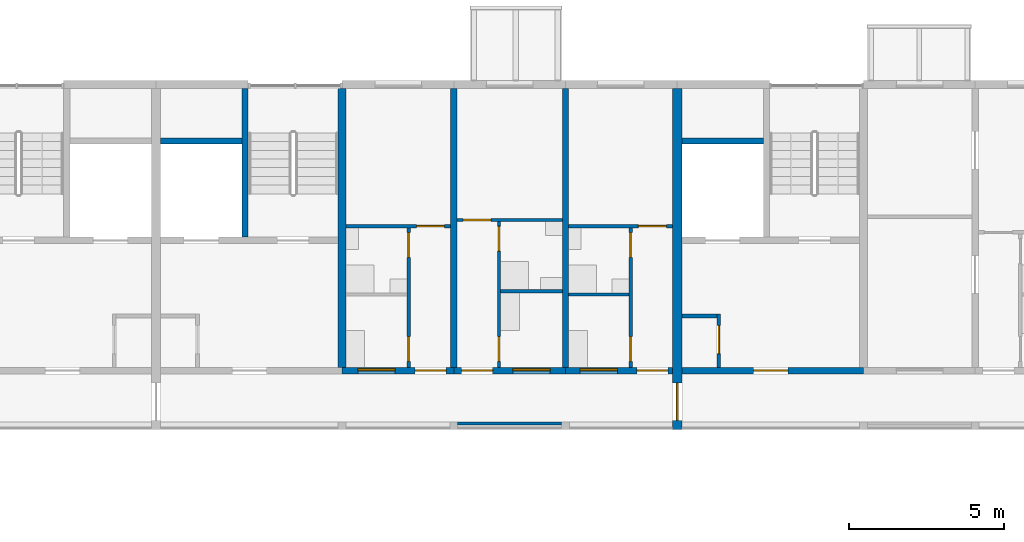
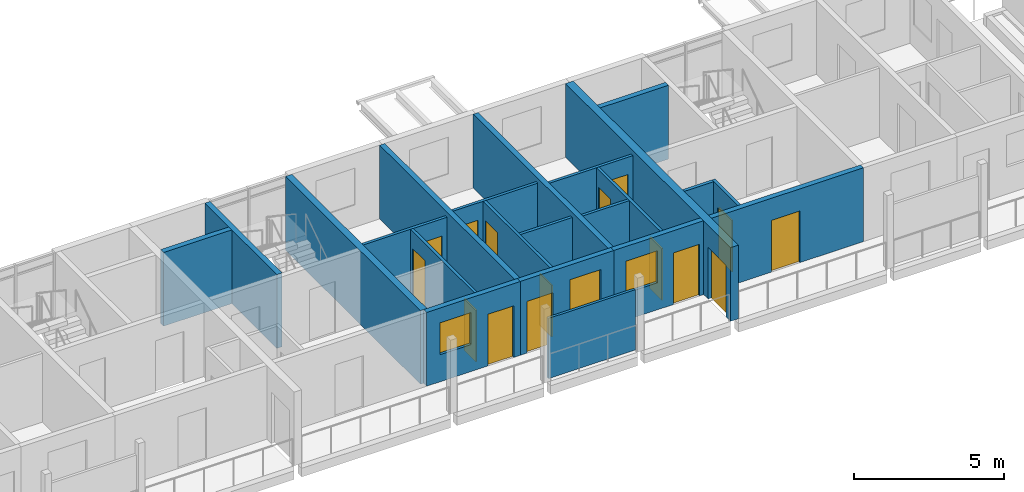
# One storey, part 50 of 94: 22 walls, 15 doors, 3 windows, 18 openings.
"""IFC4 building model written with IfcOpenShell, lengths in metres."""

from ifc_helpers import new_model, si_unit, direction, frame, frame_2d, origin, place, context, subcontext, project, spatial, rectangle, extrude, material, layer, layer_set, type_object, element, fill, save


model = new_model("IFC4")

# Units and contexts
model_context = context("Model", 3, precision=1e-05, world=origin(), true_north=direction((0.0, 1.0)))
body_context = subcontext(model_context, "Body", "Model", "MODEL_VIEW")
ifc_project = project(units=[si_unit("LENGTHUNIT", "METRE"), si_unit("AREAUNIT", "SQUARE_METRE"), si_unit("VOLUMEUNIT", "CUBIC_METRE"), si_unit("PLANEANGLEUNIT", "RADIAN"), si_unit("MASSUNIT", "GRAM", prefix="KILO")], contexts=[model_context])

# Site, building, storey
site_placement = place(None, origin())
site = spatial("IfcSite", under=ifc_project, at=site_placement, CompositionType="ELEMENT")
building_placement = place(site_placement, origin())
building = spatial("IfcBuilding", under=site, at=building_placement, Name="Ridgestep Commons", CompositionType="ELEMENT")
storey_placement = place(building_placement, frame((0.0, 0.0, 21.0)))
storey = spatial("IfcBuildingStorey", under=building, at=storey_placement, Name="L07", CompositionType="ELEMENT", Elevation=21.0)

# Wall
ifc_material_1 = material(Name="Concrete C30/37", Category="concrete")
ifc_layer_1 = layer(ifc_material_1, 0.25)
ifc_layer_set_1 = layer_set([ifc_layer_1], Name="Core cross wall 250")
wall_type_1 = type_object("IfcWallType", Name="Core cross wall 250", PredefinedType="SHEAR", material=ifc_layer_set_1)
wall_1_placement = place(storey_placement, frame((186.39990234375, 68.0, 0.0), z_axis=(0.0, 0.0, 1.0), x_axis=(0.0, 1.0, 0.0)))
element("IfcWall", 1, at=wall_1_placement, inside=storey, type_object=wall_type_1, Name="Cross wall C-07-1864", PredefinedType="SHEAR", context=body_context, shape_type="SweptSolid", body=[
    extrude(rectangle(XDim=9.0, YDim=0.25, at=frame_2d((4.5, 0.0))), origin(), (0.0, 0.0, 1.0), 3.0),
])

# Wall, opening, door
ifc_material_2 = material(Name="Concrete C30/37", Category="concrete")
ifc_layer_2 = layer(ifc_material_2, 0.199951171875)
ifc_layer_set_2 = layer_set([ifc_layer_2], Name="Core south wall 200")
wall_type_2 = type_object("IfcWallType", Name="Core south wall 200", PredefinedType="SHEAR", material=ifc_layer_set_2)
wall_2_placement = place(storey_placement, frame((197.35009765625, 67.89990234375, 0.0), z_axis=(0.0, 0.0, 1.0), x_axis=(1.0, 0.0, 0.0)))
wall_2 = element("IfcWall", 2, at=wall_2_placement, inside=storey, type_object=wall_type_2, Name="Core south wall C4C L07", PredefinedType="SHEAR", context=body_context, shape_type="SweptSolid", body=[
    extrude(rectangle(XDim=5.849853515625, YDim=0.199951171875, at=frame_2d((2.9248046875, 0.0))), origin(), (0.0, 0.0, 1.0), 3.0),
])
opening_1_placement = place(wall_2_placement, frame((2.3125, 0.0, 0.0)))
opening_1 = element("IfcOpeningElement", 3, at=opening_1_placement, cuts=wall_2, Name="Opening C4C/07/1", PredefinedType="OPENING", context=body_context, shape_type="SweptSolid", body=[
    extrude(rectangle(XDim=1.10009765625, YDim=2.10009765625, at=frame_2d((0.550048828125, 1.050048828125))), frame((0.0, 0.10986328125, 0.0), z_axis=(0.0, -1.0, 0.0), x_axis=(1.0, 0.0, 0.0)), (0.0, 0.0, 1.0), 0.219970703125),
])
ifc_material_3 = material(Name="Steel fire door", Category="steel")
door_type_1 = type_object("IfcDoorType", Name="Lobby door 1100 x 2100 FD60", OperationType="NOTDEFINED", PredefinedType="DOOR", material=ifc_material_3)
door_1_placement = place(opening_1_placement, origin())
door_1 = element("IfcDoor", 4, at=door_1_placement, inside=storey, type_object=door_type_1, Name="Lobby door C4C/07/1", OperationType="SINGLE_SWING_LEFT", OverallHeight=2.10009765625, OverallWidth=1.10009765625, PredefinedType="DOOR", context=body_context, shape_type="SweptSolid", body=[
    extrude(rectangle(XDim=1.10009765625, YDim=2.10009765625, at=frame_2d((0.550048828125, 1.050048828125))), frame((0.0, 0.02490234375, 0.0), z_axis=(0.0, -1.0, 0.0), x_axis=(1.0, 0.0, 0.0)), (0.0, 0.0, 1.0), 0.050048828125),
])
fill(opening_1, door_1)

ifc_material_4 = material(Name="Concrete C30/37", Category="concrete")
ifc_layer_3 = layer(ifc_material_4, 0.1201171875)
ifc_layer_set_3 = layer_set([ifc_layer_3], Name="Core wall 120")
wall_type_3 = type_object("IfcWallType", Name="Core wall 120", PredefinedType="SHEAR", material=ifc_layer_set_3)
wall_3_placement = place(storey_placement, frame((198.5400390625, 68.0, 0.0), z_axis=(0.0, 0.0, 1.0), x_axis=(0.0, 1.0, 0.0)))
wall_3 = element("IfcWall", 5, at=wall_3_placement, inside=storey, type_object=wall_type_3, Name="Core riser w wall C4C L07", PredefinedType="SHEAR", context=body_context, shape_type="SweptSolid", body=[
    extrude(rectangle(XDim=1.719970703125, YDim=0.1201171875, at=frame_2d((0.85986328125, 0.0))), origin(), (0.0, 0.0, 1.0), 3.0),
])
opening_2_placement = place(wall_3_placement, frame((0.449951171875, 0.0, 0.0)))
opening_2 = element("IfcOpeningElement", 6, at=opening_2_placement, cuts=wall_3, Name="Opening C4C/07/4", PredefinedType="OPENING", context=body_context, shape_type="SweptSolid", body=[
    extrude(rectangle(XDim=0.89990234375, YDim=2.10009765625, at=frame_2d((0.449951171875, 1.050048828125))), frame((0.0, 0.070068359375, 0.0), z_axis=(0.0, -1.0, 0.0), x_axis=(1.0, 0.0, 0.0)), (0.0, 0.0, 1.0), 0.14013671875),
])
ifc_material_5 = material(Name="Steel fire door", Category="steel")
door_type_2 = type_object("IfcDoorType", Name="Riser door 900 x 2100 FD60", OperationType="NOTDEFINED", PredefinedType="DOOR", material=ifc_material_5)
door_2_placement = place(opening_2_placement, origin())
door_2 = element("IfcDoor", 7, at=door_2_placement, inside=storey, type_object=door_type_2, Name="Riser door C4C/07/4", OperationType="SINGLE_SWING_RIGHT", OverallHeight=2.10009765625, OverallWidth=0.89990234375, PredefinedType="DOOR", context=body_context, shape_type="SweptSolid", body=[
    extrude(rectangle(XDim=0.89990234375, YDim=2.10009765625, at=frame_2d((0.449951171875, 1.050048828125))), frame((0.0, 0.02490234375, 0.0), z_axis=(0.0, -1.0, 0.0), x_axis=(1.0, 0.0, 0.0)), (0.0, 0.0, 1.0), 0.050048828125),
])
fill(opening_2, door_2)

# Walls
wall_4_placement = place(storey_placement, frame((197.35009765625, 69.659912109375, 0.0), z_axis=(0.0, 0.0, 1.0), x_axis=(1.0, 0.0, 0.0)))
element("IfcWall", 8, at=wall_4_placement, inside=storey, type_object=wall_type_3, Name="Core riser n wall C4C L07", PredefinedType="SHEAR", context=body_context, shape_type="SweptSolid", body=[
    extrude(rectangle(XDim=1.1298828125, YDim=0.1201171875, at=frame_2d((0.56494140625, 0.0))), origin(), (0.0, 0.0, 1.0), 3.0),
])
ifc_material_6 = material(Name="Concrete C30/37", Category="concrete")
ifc_layer_4 = layer(ifc_material_6, 0.199951171875)
ifc_layer_set_4 = layer_set([ifc_layer_4], Name="Core wall 200")
wall_type_4 = type_object("IfcWallType", Name="Core wall 200", PredefinedType="SHEAR", material=ifc_layer_set_4)
wall_5_placement = place(storey_placement, frame((183.27490234375, 72.199951171875, 0.0), z_axis=(0.0, 0.0, 1.0), x_axis=(0.0, 1.0, 0.0)))
element("IfcWall", 9, at=wall_5_placement, inside=storey, type_object=wall_type_4, Name="Core stair wall C3C L07", PredefinedType="SHEAR", context=body_context, shape_type="SweptSolid", body=[
    extrude(rectangle(XDim=4.800048828125, YDim=0.199951171875, at=frame_2d((2.39990234375, 0.0))), origin(), (0.0, 0.0, 1.0), 3.0),
])
for number, where, z_axis, x_axis, name in (
    (10, (180.550048828125, 75.300048828125, 0.0), (0.0, 0.0, 1.0), (1.0, 0.0, 0.0), "Core duct wall C3C L07"),
    (11, (197.35009765625, 75.300048828125, 0.0), (0.0, 0.0, 1.0), (1.0, 0.0, 0.0), "Core duct wall C4C L07"),
):
    element("IfcWall", number, at=place(storey_placement, frame(where, z_axis=z_axis, x_axis=x_axis)), inside=storey, type_object=wall_type_4, Name=name, PredefinedType="SHEAR", context=body_context, shape_type="SweptSolid", body=[
        extrude(rectangle(XDim=2.625, YDim=0.199951171875, at=frame_2d((1.3125, 0.0))), origin(), (0.0, 0.0, 1.0), 3.0),
    ])
ifc_material_7 = material(Name="Precast concrete C40/50", Category="concrete")
ifc_layer_5 = layer(ifc_material_7, 0.199951171875)
ifc_layer_set_5 = layer_set([ifc_layer_5], Name="Cross wall 200")
wall_type_5 = type_object("IfcWallType", Name="Cross wall 200", PredefinedType="SHEAR", material=ifc_layer_set_5)
for number, where, z_axis, x_axis, name in (
    (12, (190.0, 68.0, 0.0), (0.0, 0.0, 1.0), (0.0, 1.0, 0.0), "Cross wall C-07-1900"),
    (13, (193.60009765625, 68.0, 0.0), (0.0, 0.0, 1.0), (0.0, 1.0, 0.0), "Cross wall C-07-1936"),
):
    element("IfcWall", number, at=place(storey_placement, frame(where, z_axis=z_axis, x_axis=x_axis)), inside=storey, type_object=wall_type_5, Name=name, PredefinedType="SHEAR", context=body_context, shape_type="SweptSolid", body=[
        extrude(rectangle(XDim=9.0, YDim=0.199951171875, at=frame_2d((4.5, 0.0))), origin(), (0.0, 0.0, 1.0), 3.0),
    ])

# Wall, opening, door
ifc_material_8 = material(Name="Precast concrete C40/50", Category="concrete")
ifc_layer_6 = layer(ifc_material_8, 0.300048828125)
ifc_layer_set_6 = layer_set([ifc_layer_6], Name="Division wall 300")
wall_type_6 = type_object("IfcWallType", Name="Division wall 300", PredefinedType="SHEAR", material=ifc_layer_set_6)
wall_6_placement = place(storey_placement, frame((197.199951171875, 66.0, 0.0), z_axis=(0.0, 0.0, 1.0), x_axis=(0.0, 1.0, 0.0)))
wall_6 = element("IfcWall", 14, at=wall_6_placement, inside=storey, type_object=wall_type_6, Name="Cross wall C-07-1972", PredefinedType="SHEAR", context=body_context, shape_type="SweptSolid", body=[
    extrude(rectangle(XDim=11.0, YDim=0.300048828125, at=frame_2d((5.5, 0.0))), origin(), (0.0, 0.0, 1.0), 3.0),
])
opening_3_placement = place(wall_6_placement, frame((0.300048828125, 0.0, 0.0)))
opening_3 = element("IfcOpeningElement", 15, at=opening_3_placement, cuts=wall_6, Name="Opening C/07/G1972", PredefinedType="OPENING", context=body_context, shape_type="SweptSolid", body=[
    extrude(rectangle(XDim=1.199951171875, YDim=2.10009765625, at=frame_2d((0.60009765625, 1.050048828125))), frame((0.0, 0.159912109375, 0.0), z_axis=(0.0, -1.0, 0.0), x_axis=(1.0, 0.0, 0.0)), (0.0, 0.0, 1.0), 0.320068359375),
])
ifc_material_9 = material(Name="Steel fire door", Category="steel")
door_type_3 = type_object("IfcDoorType", Name="Division fire door 1200 x 2100 EI 240", OperationType="DOUBLE_DOOR_SINGLE_SWING", PredefinedType="DOOR", material=ifc_material_9)
door_3_placement = place(opening_3_placement, origin())
door_3 = element("IfcDoor", 16, at=door_3_placement, inside=storey, type_object=door_type_3, Name="Division fire door C/07/G1972", OperationType="DOUBLE_DOOR_SINGLE_SWING", OverallHeight=2.10009765625, OverallWidth=1.199951171875, PredefinedType="DOOR", context=body_context, shape_type="SweptSolid", body=[
    extrude(rectangle(XDim=1.199951171875, YDim=2.10009765625, at=frame_2d((0.60009765625, 1.050048828125))), frame((0.0, 0.02490234375, 0.0), z_axis=(0.0, -1.0, 0.0), x_axis=(1.0, 0.0, 0.0)), (0.0, 0.0, 1.0), 0.050048828125),
])
fill(opening_3, door_3)

# Wall
ifc_material_10 = material(Name="Common brick 110 mm", Category="masonry")
ifc_layer_7 = layer(ifc_material_10, 0.110107421875)
ifc_layer_set_7 = layer_set([ifc_layer_7], Name="Partition 110")
wall_type_7 = type_object("IfcWallType", Name="Partition 110", PredefinedType="PARTITIONING", material=ifc_layer_set_7)
wall_7_placement = place(storey_placement, frame((193.699951171875, 70.35498046875, 0.0), z_axis=(0.0, 0.0, 1.0), x_axis=(1.0, 0.0, 0.0)))
element("IfcWall", 17, at=wall_7_placement, inside=storey, type_object=wall_type_7, Name="Partition C3-07a", PredefinedType="PARTITIONING", context=body_context, shape_type="SweptSolid", body=[
    extrude(rectangle(XDim=1.93994140625, YDim=0.110107421875, at=frame_2d((0.969970703125, 0.0))), origin(), (0.0, 0.0, 1.0), 2.800048828125),
])

# Wall, openings, doors
wall_8_placement = place(storey_placement, frame((195.695068359375, 68.0, 0.0), z_axis=(0.0, 0.0, 1.0), x_axis=(0.0, 1.0, 0.0)))
wall_8 = element("IfcWall", 18, at=wall_8_placement, inside=storey, type_object=wall_type_7, Name="Partition C3-07a", PredefinedType="PARTITIONING", context=body_context, shape_type="SweptSolid", body=[
    extrude(rectangle(XDim=4.5, YDim=0.110107421875, at=frame_2d((2.25, 0.0))), origin(), (0.0, 0.0, 1.0), 2.800048828125),
])
opening_4_placement = place(wall_8_placement, frame((0.199951171875, 0.0, 0.0)))
opening_4 = element("IfcOpeningElement", 19, at=opening_4_placement, cuts=wall_8, Name="Opening C3-07a/2", PredefinedType="OPENING", context=body_context, shape_type="SweptSolid", body=[
    extrude(rectangle(XDim=0.800048828125, YDim=2.10009765625, at=frame_2d((0.39990234375, 1.050048828125))), frame((0.0, 0.06494140625, 0.0), z_axis=(0.0, -1.0, 0.0), x_axis=(1.0, 0.0, 0.0)), (0.0, 0.0, 1.0), 0.130126953125),
])
opening_5_placement = place(wall_8_placement, frame((3.550048828125, 0.0, 0.0)))
opening_5 = element("IfcOpeningElement", 20, at=opening_5_placement, cuts=wall_8, Name="Opening C3-07a/3", PredefinedType="OPENING", context=body_context, shape_type="SweptSolid", body=[
    extrude(rectangle(XDim=0.800048828125, YDim=2.10009765625, at=frame_2d((0.39990234375, 1.050048828125))), frame((0.0, 0.06494140625, 0.0), z_axis=(0.0, -1.0, 0.0), x_axis=(1.0, 0.0, 0.0)), (0.0, 0.0, 1.0), 0.130126953125),
])
ifc_material_11 = material(Name="Timber door leaf", Category="wood")
door_type_4 = type_object("IfcDoorType", Name="Internal door 800 x 2100", OperationType="NOTDEFINED", PredefinedType="DOOR", material=ifc_material_11)
door_4_placement = place(opening_4_placement, origin())
door_4 = element("IfcDoor", 21, at=door_4_placement, inside=storey, type_object=door_type_4, Name="Internal door C3-07a/2", OperationType="SINGLE_SWING_LEFT", OverallHeight=2.10009765625, OverallWidth=0.800048828125, PredefinedType="DOOR", context=body_context, shape_type="SweptSolid", body=[
    extrude(rectangle(XDim=0.800048828125, YDim=2.10009765625, at=frame_2d((0.39990234375, 1.050048828125))), frame((0.0, 0.02490234375, 0.0), z_axis=(0.0, -1.0, 0.0), x_axis=(1.0, 0.0, 0.0)), (0.0, 0.0, 1.0), 0.050048828125),
])
fill(opening_4, door_4)
door_5_placement = place(opening_5_placement, origin())
door_5 = element("IfcDoor", 22, at=door_5_placement, inside=storey, type_object=door_type_4, Name="Internal door C3-07a/3", OperationType="SINGLE_SWING_RIGHT", OverallHeight=2.10009765625, OverallWidth=0.800048828125, PredefinedType="DOOR", context=body_context, shape_type="SweptSolid", body=[
    extrude(rectangle(XDim=0.800048828125, YDim=2.10009765625, at=frame_2d((0.39990234375, 1.050048828125))), frame((0.0, 0.02490234375, 0.0), z_axis=(0.0, -1.0, 0.0), x_axis=(1.0, 0.0, 0.0)), (0.0, 0.0, 1.0), 0.050048828125),
])
fill(opening_5, door_5)

# Wall, opening, door
wall_9_placement = place(storey_placement, frame((193.699951171875, 72.554931640625, 0.0), z_axis=(0.0, 0.0, 1.0), x_axis=(1.0, 0.0, 0.0)))
wall_9 = element("IfcWall", 23, at=wall_9_placement, inside=storey, type_object=wall_type_7, Name="Partition C3-07a", PredefinedType="PARTITIONING", context=body_context, shape_type="SweptSolid", body=[
    extrude(rectangle(XDim=3.35009765625, YDim=0.110107421875, at=frame_2d((1.675048828125, 0.0))), origin(), (0.0, 0.0, 1.0), 2.800048828125),
])
opening_6_placement = place(wall_9_placement, frame((2.25, 0.0, 0.0)))
opening_6 = element("IfcOpeningElement", 24, at=opening_6_placement, cuts=wall_9, Name="Opening C3-07a/4", PredefinedType="OPENING", context=body_context, shape_type="SweptSolid", body=[
    extrude(rectangle(XDim=0.89990234375, YDim=2.10009765625, at=frame_2d((0.449951171875, 1.050048828125))), frame((0.0, 0.06494140625, 0.0), z_axis=(0.0, -1.0, 0.0), x_axis=(1.0, 0.0, 0.0)), (0.0, 0.0, 1.0), 0.130126953125),
])
ifc_material_12 = material(Name="Timber door leaf", Category="wood")
door_type_5 = type_object("IfcDoorType", Name="Internal door 900 x 2100", OperationType="NOTDEFINED", PredefinedType="DOOR", material=ifc_material_12)
door_6_placement = place(opening_6_placement, origin())
door_6 = element("IfcDoor", 25, at=door_6_placement, inside=storey, type_object=door_type_5, Name="Internal door C3-07a/4", OperationType="SINGLE_SWING_LEFT", OverallHeight=2.10009765625, OverallWidth=0.89990234375, PredefinedType="DOOR", context=body_context, shape_type="SweptSolid", body=[
    extrude(rectangle(XDim=0.89990234375, YDim=2.10009765625, at=frame_2d((0.449951171875, 1.050048828125))), frame((0.0, 0.02490234375, 0.0), z_axis=(0.0, -1.0, 0.0), x_axis=(1.0, 0.0, 0.0)), (0.0, 0.0, 1.0), 0.050048828125),
])
fill(opening_6, door_6)

# Wall, openings, doors
wall_10_placement = place(storey_placement, frame((191.455078125, 68.0, 0.0), z_axis=(0.0, 0.0, 1.0), x_axis=(0.0, 1.0, 0.0)))
wall_10 = element("IfcWall", 26, at=wall_10_placement, inside=storey, type_object=wall_type_7, Name="Partition C3-07b", PredefinedType="PARTITIONING", context=body_context, shape_type="SweptSolid", body=[
    extrude(rectangle(XDim=4.699951171875, YDim=0.110107421875, at=frame_2d((2.35009765625, 0.0))), origin(), (0.0, 0.0, 1.0), 2.800048828125),
])
opening_7_placement = place(wall_10_placement, frame((0.199951171875, 0.0, 0.0)))
opening_7 = element("IfcOpeningElement", 27, at=opening_7_placement, cuts=wall_10, Name="Opening C3-07b/2", PredefinedType="OPENING", context=body_context, shape_type="SweptSolid", body=[
    extrude(rectangle(XDim=0.800048828125, YDim=2.10009765625, at=frame_2d((0.39990234375, 1.050048828125))), frame((0.0, 0.06494140625, 0.0), z_axis=(0.0, -1.0, 0.0), x_axis=(1.0, 0.0, 0.0)), (0.0, 0.0, 1.0), 0.130126953125),
])
opening_8_placement = place(wall_10_placement, frame((3.75, 0.0, 0.0)))
opening_8 = element("IfcOpeningElement", 28, at=opening_8_placement, cuts=wall_10, Name="Opening C3-07b/3", PredefinedType="OPENING", context=body_context, shape_type="SweptSolid", body=[
    extrude(rectangle(XDim=0.800048828125, YDim=2.10009765625, at=frame_2d((0.39990234375, 1.050048828125))), frame((0.0, 0.06494140625, 0.0), z_axis=(0.0, -1.0, 0.0), x_axis=(1.0, 0.0, 0.0)), (0.0, 0.0, 1.0), 0.130126953125),
])
door_7_placement = place(opening_7_placement, origin())
door_7 = element("IfcDoor", 29, at=door_7_placement, inside=storey, type_object=door_type_4, Name="Internal door C3-07b/2", OperationType="SINGLE_SWING_RIGHT", OverallHeight=2.10009765625, OverallWidth=0.800048828125, PredefinedType="DOOR", context=body_context, shape_type="SweptSolid", body=[
    extrude(rectangle(XDim=0.800048828125, YDim=2.10009765625, at=frame_2d((0.39990234375, 1.050048828125))), frame((0.0, 0.02490234375, 0.0), z_axis=(0.0, -1.0, 0.0), x_axis=(1.0, 0.0, 0.0)), (0.0, 0.0, 1.0), 0.050048828125),
])
fill(opening_7, door_7)
door_8_placement = place(opening_8_placement, origin())
door_8 = element("IfcDoor", 30, at=door_8_placement, inside=storey, type_object=door_type_4, Name="Internal door C3-07b/3", OperationType="SINGLE_SWING_LEFT", OverallHeight=2.10009765625, OverallWidth=0.800048828125, PredefinedType="DOOR", context=body_context, shape_type="SweptSolid", body=[
    extrude(rectangle(XDim=0.800048828125, YDim=2.10009765625, at=frame_2d((0.39990234375, 1.050048828125))), frame((0.0, 0.02490234375, 0.0), z_axis=(0.0, -1.0, 0.0), x_axis=(1.0, 0.0, 0.0)), (0.0, 0.0, 1.0), 0.050048828125),
])
fill(opening_8, door_8)

# Wall
wall_11_placement = place(storey_placement, frame((191.510009765625, 70.455078125, 0.0), z_axis=(0.0, 0.0, 1.0), x_axis=(1.0, 0.0, 0.0)))
element("IfcWall", 31, at=wall_11_placement, inside=storey, type_object=wall_type_7, Name="Partition C3-07b", PredefinedType="PARTITIONING", context=body_context, shape_type="SweptSolid", body=[
    extrude(rectangle(XDim=1.989990234375, YDim=0.110107421875, at=frame_2d((0.9951171875, 0.0))), origin(), (0.0, 0.0, 1.0), 2.800048828125),
])

# Wall, opening, door
wall_12_placement = place(storey_placement, frame((190.10009765625, 72.7548828125, 0.0), z_axis=(0.0, 0.0, 1.0), x_axis=(1.0, 0.0, 0.0)))
wall_12 = element("IfcWall", 32, at=wall_12_placement, inside=storey, type_object=wall_type_7, Name="Partition C3-07b", PredefinedType="PARTITIONING", context=body_context, shape_type="SweptSolid", body=[
    extrude(rectangle(XDim=3.39990234375, YDim=0.110107421875, at=frame_2d((1.699951171875, 0.0))), origin(), (0.0, 0.0, 1.0), 2.800048828125),
])
opening_9_placement = place(wall_12_placement, frame((0.199951171875, 0.0, 0.0)))
opening_9 = element("IfcOpeningElement", 33, at=opening_9_placement, cuts=wall_12, Name="Opening C3-07b/4", PredefinedType="OPENING", context=body_context, shape_type="SweptSolid", body=[
    extrude(rectangle(XDim=0.89990234375, YDim=2.10009765625, at=frame_2d((0.449951171875, 1.050048828125))), frame((0.0, 0.06494140625, 0.0), z_axis=(0.0, -1.0, 0.0), x_axis=(1.0, 0.0, 0.0)), (0.0, 0.0, 1.0), 0.130126953125),
])
door_9_placement = place(opening_9_placement, origin())
door_9 = element("IfcDoor", 34, at=door_9_placement, inside=storey, type_object=door_type_5, Name="Internal door C3-07b/4", OperationType="SINGLE_SWING_LEFT", OverallHeight=2.10009765625, OverallWidth=0.89990234375, PredefinedType="DOOR", context=body_context, shape_type="SweptSolid", body=[
    extrude(rectangle(XDim=0.89990234375, YDim=2.10009765625, at=frame_2d((0.449951171875, 1.050048828125))), frame((0.0, 0.02490234375, 0.0), z_axis=(0.0, -1.0, 0.0), x_axis=(1.0, 0.0, 0.0)), (0.0, 0.0, 1.0), 0.050048828125),
])
fill(opening_9, door_9)

# Wall, openings, doors
wall_13_placement = place(storey_placement, frame((188.544921875, 68.0, 0.0), z_axis=(0.0, 0.0, 1.0), x_axis=(0.0, 1.0, 0.0)))
wall_13 = element("IfcWall", 35, at=wall_13_placement, inside=storey, type_object=wall_type_7, Name="Partition C3-07c", PredefinedType="PARTITIONING", context=body_context, shape_type="SweptSolid", body=[
    extrude(rectangle(XDim=4.5, YDim=0.110107421875, at=frame_2d((2.25, 0.0))), origin(), (0.0, 0.0, 1.0), 2.800048828125),
])
opening_10_placement = place(wall_13_placement, frame((0.199951171875, 0.0, 0.0)))
opening_10 = element("IfcOpeningElement", 36, at=opening_10_placement, cuts=wall_13, Name="Opening C3-07c/2", PredefinedType="OPENING", context=body_context, shape_type="SweptSolid", body=[
    extrude(rectangle(XDim=0.800048828125, YDim=2.10009765625, at=frame_2d((0.39990234375, 1.050048828125))), frame((0.0, 0.06494140625, 0.0), z_axis=(0.0, -1.0, 0.0), x_axis=(1.0, 0.0, 0.0)), (0.0, 0.0, 1.0), 0.130126953125),
])
opening_11_placement = place(wall_13_placement, frame((3.550048828125, 0.0, 0.0)))
opening_11 = element("IfcOpeningElement", 37, at=opening_11_placement, cuts=wall_13, Name="Opening C3-07c/3", PredefinedType="OPENING", context=body_context, shape_type="SweptSolid", body=[
    extrude(rectangle(XDim=0.800048828125, YDim=2.10009765625, at=frame_2d((0.39990234375, 1.050048828125))), frame((0.0, 0.06494140625, 0.0), z_axis=(0.0, -1.0, 0.0), x_axis=(1.0, 0.0, 0.0)), (0.0, 0.0, 1.0), 0.130126953125),
])
door_10_placement = place(opening_10_placement, origin())
door_10 = element("IfcDoor", 38, at=door_10_placement, inside=storey, type_object=door_type_4, Name="Internal door C3-07c/2", OperationType="SINGLE_SWING_LEFT", OverallHeight=2.10009765625, OverallWidth=0.800048828125, PredefinedType="DOOR", context=body_context, shape_type="SweptSolid", body=[
    extrude(rectangle(XDim=0.800048828125, YDim=2.10009765625, at=frame_2d((0.39990234375, 1.050048828125))), frame((0.0, 0.02490234375, 0.0), z_axis=(0.0, -1.0, 0.0), x_axis=(1.0, 0.0, 0.0)), (0.0, 0.0, 1.0), 0.050048828125),
])
fill(opening_10, door_10)
door_11_placement = place(opening_11_placement, origin())
door_11 = element("IfcDoor", 39, at=door_11_placement, inside=storey, type_object=door_type_4, Name="Internal door C3-07c/3", OperationType="SINGLE_SWING_RIGHT", OverallHeight=2.10009765625, OverallWidth=0.800048828125, PredefinedType="DOOR", context=body_context, shape_type="SweptSolid", body=[
    extrude(rectangle(XDim=0.800048828125, YDim=2.10009765625, at=frame_2d((0.39990234375, 1.050048828125))), frame((0.0, 0.02490234375, 0.0), z_axis=(0.0, -1.0, 0.0), x_axis=(1.0, 0.0, 0.0)), (0.0, 0.0, 1.0), 0.050048828125),
])
fill(opening_11, door_11)

# Wall, opening, door
wall_14_placement = place(storey_placement, frame((186.52490234375, 72.554931640625, 0.0), z_axis=(0.0, 0.0, 1.0), x_axis=(1.0, 0.0, 0.0)))
wall_14 = element("IfcWall", 40, at=wall_14_placement, inside=storey, type_object=wall_type_7, Name="Partition C3-07c", PredefinedType="PARTITIONING", context=body_context, shape_type="SweptSolid", body=[
    extrude(rectangle(XDim=3.375, YDim=0.110107421875, at=frame_2d((1.6875, 0.0))), origin(), (0.0, 0.0, 1.0), 2.800048828125),
])
opening_12_placement = place(wall_14_placement, frame((2.27490234375, 0.0, 0.0)))
opening_12 = element("IfcOpeningElement", 41, at=opening_12_placement, cuts=wall_14, Name="Opening C3-07c/4", PredefinedType="OPENING", context=body_context, shape_type="SweptSolid", body=[
    extrude(rectangle(XDim=0.89990234375, YDim=2.10009765625, at=frame_2d((0.449951171875, 1.050048828125))), frame((0.0, 0.06494140625, 0.0), z_axis=(0.0, -1.0, 0.0), x_axis=(1.0, 0.0, 0.0)), (0.0, 0.0, 1.0), 0.130126953125),
])
door_12_placement = place(opening_12_placement, origin())
door_12 = element("IfcDoor", 42, at=door_12_placement, inside=storey, type_object=door_type_5, Name="Internal door C3-07c/4", OperationType="SINGLE_SWING_LEFT", OverallHeight=2.10009765625, OverallWidth=0.89990234375, PredefinedType="DOOR", context=body_context, shape_type="SweptSolid", body=[
    extrude(rectangle(XDim=0.89990234375, YDim=2.10009765625, at=frame_2d((0.449951171875, 1.050048828125))), frame((0.0, 0.02490234375, 0.0), z_axis=(0.0, -1.0, 0.0), x_axis=(1.0, 0.0, 0.0)), (0.0, 0.0, 1.0), 0.050048828125),
])
fill(opening_12, door_12)

# Wall
ifc_material_13 = material(Name="Precast concrete C30/37", Category="concrete")
ifc_layer_8 = layer(ifc_material_13, 0.10009765625)
ifc_layer_set_8 = layer_set([ifc_layer_8], Name="Perforated gallery screen 3350 x 2450 x 100")
wall_type_8 = type_object("IfcWallType", Name="Perforated gallery screen 3350 x 2450 x 100", PredefinedType="SOLIDWALL", material=ifc_layer_set_8)
wall_15_placement = place(storey_placement, frame((190.125, 66.199951171875, 0.0), z_axis=(0.0, 0.0, 1.0), x_axis=(1.0, 0.0, 0.0)))
element("IfcWall", 43, at=wall_15_placement, inside=storey, type_object=wall_type_8, Name="Gallery screen C3T2 07", PredefinedType="SOLIDWALL", context=body_context, shape_type="SweptSolid", body=[
    extrude(rectangle(XDim=3.35009765625, YDim=0.10009765625, at=frame_2d((1.675048828125, 0.0))), origin(), (0.0, 0.0, 1.0), 2.449951171875),
])

# Wall, openings, door, window
ifc_material_14 = material(Name="Precast concrete C40/50", Category="concrete")
ifc_layer_9 = layer(ifc_material_14, 0.199951171875)
ifc_layer_set_9 = layer_set([ifc_layer_9], Name="South facade panel 200")
wall_type_9 = type_object("IfcWallType", Name="South facade panel 200", PredefinedType="SOLIDWALL", material=ifc_layer_set_9)
wall_16_placement = place(storey_placement, frame((186.39990234375, 67.89990234375, 0.0), z_axis=(0.0, 0.0, 1.0), x_axis=(1.0, 0.0, 0.0)))
wall_16 = element("IfcWall", 44, at=wall_16_placement, inside=storey, type_object=wall_type_9, Name="South panel C3T3 L07", PredefinedType="SOLIDWALL", context=body_context, shape_type="SweptSolid", body=[
    extrude(rectangle(XDim=3.60009765625, YDim=0.199951171875, at=frame_2d((1.800048828125, 0.0))), origin(), (0.0, 0.0, 1.0), 3.0),
])
opening_13_placement = place(wall_16_placement, frame((0.507568359375, 0.0, 1.10009765625)))
opening_13 = element("IfcOpeningElement", 45, at=opening_13_placement, cuts=wall_16, Name="Opening W08", PredefinedType="OPENING", context=body_context, shape_type="SweptSolid", body=[
    extrude(rectangle(XDim=1.199951171875, YDim=1.300048828125, at=frame_2d((0.60009765625, 0.64990234375))), frame((0.0, 0.10986328125, 0.0), z_axis=(0.0, -1.0, 0.0), x_axis=(1.0, 0.0, 0.0)), (0.0, 0.0, 1.0), 0.219970703125),
])
opening_14_placement = place(wall_16_placement, frame((2.35009765625, 0.0, 0.0)))
opening_14 = element("IfcOpeningElement", 46, at=opening_14_placement, cuts=wall_16, Name="Opening C3-07c/1", PredefinedType="OPENING", context=body_context, shape_type="SweptSolid", body=[
    extrude(rectangle(XDim=1.0, YDim=2.10009765625, at=frame_2d((0.5, 1.050048828125))), frame((0.0, 0.10986328125, 0.0), z_axis=(0.0, -1.0, 0.0), x_axis=(1.0, 0.0, 0.0)), (0.0, 0.0, 1.0), 0.219970703125),
])
ifc_material_15 = material(Name="Timber door leaf", Category="wood")
door_type_6 = type_object("IfcDoorType", Name="Flat entrance door 1000 x 2100 FD30S", OperationType="NOTDEFINED", PredefinedType="DOOR", material=ifc_material_15)
door_13_placement = place(opening_14_placement, origin())
door_13 = element("IfcDoor", 47, at=door_13_placement, inside=storey, type_object=door_type_6, Name="Flat entrance door C3-07c/1", OperationType="SINGLE_SWING_RIGHT", OverallHeight=2.10009765625, OverallWidth=1.0, PredefinedType="DOOR", context=body_context, shape_type="SweptSolid", body=[
    extrude(rectangle(XDim=1.0, YDim=2.10009765625, at=frame_2d((0.5, 1.050048828125))), frame((0.0, 0.02490234375, 0.0), z_axis=(0.0, -1.0, 0.0), x_axis=(1.0, 0.0, 0.0)), (0.0, 0.0, 1.0), 0.050048828125),
])
fill(opening_14, door_13)
ifc_material_16 = material(Name="Aluminium 6063-T6 and glass", Category="aluminium")
window_type = type_object("IfcWindowType", Name="Flat window 1200 x 1300", PartitioningType="SINGLE_PANEL", PredefinedType="WINDOW", material=ifc_material_16)
window_1_placement = place(opening_13_placement, origin())
window_1 = element("IfcWindow", 48, at=window_1_placement, inside=storey, type_object=window_type, Name="Window C3-07c 1", OverallHeight=1.300048828125, OverallWidth=1.199951171875, PartitioningType="SINGLE_PANEL", PredefinedType="WINDOW", context=body_context, shape_type="SweptSolid", body=[
    extrude(rectangle(XDim=1.199951171875, YDim=1.300048828125, at=frame_2d((0.60009765625, 0.64990234375))), frame((0.0, 0.06005859375, 0.0), z_axis=(0.0, -1.0, 0.0), x_axis=(1.0, 0.0, 0.0)), (0.0, 0.0, 1.0), 0.06005859375),
])
fill(opening_13, window_1)

wall_17_placement = place(storey_placement, frame((190.0, 67.89990234375, 0.0), z_axis=(0.0, 0.0, 1.0), x_axis=(1.0, 0.0, 0.0)))
wall_17 = element("IfcWall", 49, at=wall_17_placement, inside=storey, type_object=wall_type_9, Name="South panel C3T2 L07", PredefinedType="SOLIDWALL", context=body_context, shape_type="SweptSolid", body=[
    extrude(rectangle(XDim=3.60009765625, YDim=0.199951171875, at=frame_2d((1.800048828125, 0.0))), origin(), (0.0, 0.0, 1.0), 3.0),
])
opening_15_placement = place(wall_17_placement, frame((1.905029296875, 0.0, 1.10009765625)))
opening_15 = element("IfcOpeningElement", 50, at=opening_15_placement, cuts=wall_17, Name="Opening W08", PredefinedType="OPENING", context=body_context, shape_type="SweptSolid", body=[
    extrude(rectangle(XDim=1.199951171875, YDim=1.300048828125, at=frame_2d((0.60009765625, 0.64990234375))), frame((0.0, 0.10986328125, 0.0), z_axis=(0.0, -1.0, 0.0), x_axis=(1.0, 0.0, 0.0)), (0.0, 0.0, 1.0), 0.219970703125),
])
opening_16_placement = place(wall_17_placement, frame((0.25, 0.0, 0.0)))
opening_16 = element("IfcOpeningElement", 51, at=opening_16_placement, cuts=wall_17, Name="Opening C3-07b/1", PredefinedType="OPENING", context=body_context, shape_type="SweptSolid", body=[
    extrude(rectangle(XDim=1.0, YDim=2.10009765625, at=frame_2d((0.5, 1.050048828125))), frame((0.0, 0.10986328125, 0.0), z_axis=(0.0, -1.0, 0.0), x_axis=(1.0, 0.0, 0.0)), (0.0, 0.0, 1.0), 0.219970703125),
])
door_14_placement = place(opening_16_placement, origin())
door_14 = element("IfcDoor", 52, at=door_14_placement, inside=storey, type_object=door_type_6, Name="Flat entrance door C3-07b/1", OperationType="SINGLE_SWING_LEFT", OverallHeight=2.10009765625, OverallWidth=1.0, PredefinedType="DOOR", context=body_context, shape_type="SweptSolid", body=[
    extrude(rectangle(XDim=1.0, YDim=2.10009765625, at=frame_2d((0.5, 1.050048828125))), frame((0.0, 0.02490234375, 0.0), z_axis=(0.0, -1.0, 0.0), x_axis=(1.0, 0.0, 0.0)), (0.0, 0.0, 1.0), 0.050048828125),
])
fill(opening_16, door_14)
window_2_placement = place(opening_15_placement, origin())
window_2 = element("IfcWindow", 53, at=window_2_placement, inside=storey, type_object=window_type, Name="Window C3-07b 1", OverallHeight=1.300048828125, OverallWidth=1.199951171875, PartitioningType="SINGLE_PANEL", PredefinedType="WINDOW", context=body_context, shape_type="SweptSolid", body=[
    extrude(rectangle(XDim=1.199951171875, YDim=1.300048828125, at=frame_2d((0.60009765625, 0.64990234375))), frame((0.0, 0.06005859375, 0.0), z_axis=(0.0, -1.0, 0.0), x_axis=(1.0, 0.0, 0.0)), (0.0, 0.0, 1.0), 0.06005859375),
])
fill(opening_15, window_2)

wall_18_placement = place(storey_placement, frame((193.60009765625, 67.89990234375, 0.0), z_axis=(0.0, 0.0, 1.0), x_axis=(1.0, 0.0, 0.0)))
wall_18 = element("IfcWall", 54, at=wall_18_placement, inside=storey, type_object=wall_type_9, Name="South panel C3T1 L07", PredefinedType="SOLIDWALL", context=body_context, shape_type="SweptSolid", body=[
    extrude(rectangle(XDim=3.449951171875, YDim=0.199951171875, at=frame_2d((1.72509765625, 0.0))), origin(), (0.0, 0.0, 1.0), 3.0),
])
opening_17_placement = place(wall_18_placement, frame((0.469970703125, 0.0, 1.10009765625)))
opening_17 = element("IfcOpeningElement", 55, at=opening_17_placement, cuts=wall_18, Name="Opening W08", PredefinedType="OPENING", context=body_context, shape_type="SweptSolid", body=[
    extrude(rectangle(XDim=1.199951171875, YDim=1.300048828125, at=frame_2d((0.60009765625, 0.64990234375))), frame((0.0, 0.10986328125, 0.0), z_axis=(0.0, -1.0, 0.0), x_axis=(1.0, 0.0, 0.0)), (0.0, 0.0, 1.0), 0.219970703125),
])
opening_18_placement = place(wall_18_placement, frame((2.300048828125, 0.0, 0.0)))
opening_18 = element("IfcOpeningElement", 56, at=opening_18_placement, cuts=wall_18, Name="Opening C3-07a/1", PredefinedType="OPENING", context=body_context, shape_type="SweptSolid", body=[
    extrude(rectangle(XDim=1.0, YDim=2.10009765625, at=frame_2d((0.5, 1.050048828125))), frame((0.0, 0.10986328125, 0.0), z_axis=(0.0, -1.0, 0.0), x_axis=(1.0, 0.0, 0.0)), (0.0, 0.0, 1.0), 0.219970703125),
])
door_15_placement = place(opening_18_placement, origin())
door_15 = element("IfcDoor", 57, at=door_15_placement, inside=storey, type_object=door_type_6, Name="Flat entrance door C3-07a/1", OperationType="SINGLE_SWING_RIGHT", OverallHeight=2.10009765625, OverallWidth=1.0, PredefinedType="DOOR", context=body_context, shape_type="SweptSolid", body=[
    extrude(rectangle(XDim=1.0, YDim=2.10009765625, at=frame_2d((0.5, 1.050048828125))), frame((0.0, 0.02490234375, 0.0), z_axis=(0.0, -1.0, 0.0), x_axis=(1.0, 0.0, 0.0)), (0.0, 0.0, 1.0), 0.050048828125),
])
fill(opening_18, door_15)
window_3_placement = place(opening_17_placement, origin())
window_3 = element("IfcWindow", 58, at=window_3_placement, inside=storey, type_object=window_type, Name="Window C3-07a 1", OverallHeight=1.300048828125, OverallWidth=1.199951171875, PartitioningType="SINGLE_PANEL", PredefinedType="WINDOW", context=body_context, shape_type="SweptSolid", body=[
    extrude(rectangle(XDim=1.199951171875, YDim=1.300048828125, at=frame_2d((0.60009765625, 0.64990234375))), frame((0.0, 0.06005859375, 0.0), z_axis=(0.0, -1.0, 0.0), x_axis=(1.0, 0.0, 0.0)), (0.0, 0.0, 1.0), 0.06005859375),
])
fill(opening_17, window_3)

save(model, "model.ifc")
